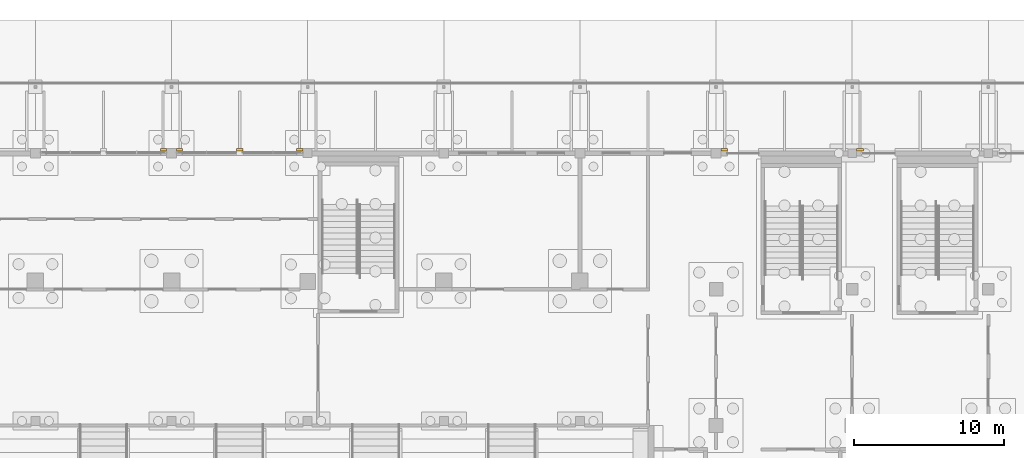
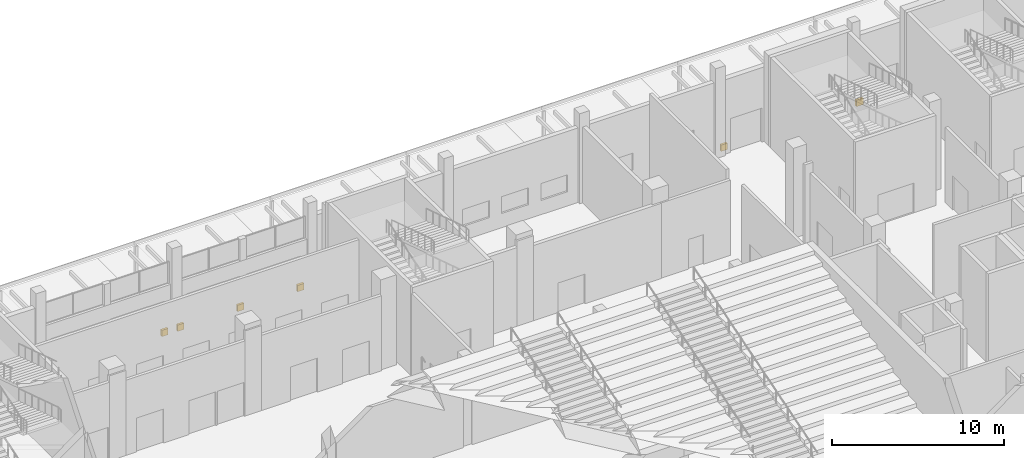
# One storey, part 125 of 129: 6 coverings.
"""IFC4 building model written with IfcOpenShell, lengths in metres."""

import ifcopenshell
import ifcopenshell.guid

model = None  # the IFC model being written
_history = None  # IfcOwnerHistory: only IFC2X3 demands one
_inside = {}  # id of a spatial element -> (the spatial element, [elements in it])
_under = {}  # id of a project, library or spatial element -> (it, [spatial elements below it])
_declared = {}  # id of a project -> (the project, [libraries it declares])
_typed = {}  # id of a type object -> (the type object, [elements of that type])
_made_of = {}  # id of a material, layer set ... -> (it, [elements and type objects made of it])


def new_model(schema):
    """Start an empty IFC model of exactly this schema.

    Asked for "IFC4X3", IfcOpenShell would pick the latest addendum, in which some entities
    have other attributes; the version numbers below select the first issue.
    IFC2X3 requires an IfcOwnerHistory on every rooted entity: one is made here for all.
    """
    global model, _history
    if schema == "IFC4X3":
        model = ifcopenshell.file(schema_version=(4, 3, 0, 0))
    else:
        model = ifcopenshell.file(schema=schema)
    _inside.clear()
    _under.clear()
    _declared.clear()
    _typed.clear()
    _made_of.clear()
    _history = None
    if model.schema == "IFC2X3":
        org = make("IfcOrganization", Name="unknown")
        user = make(
            "IfcPersonAndOrganization",
            ThePerson=make("IfcPerson", FamilyName="unknown"),
            TheOrganization=org,
        )
        app = make(
            "IfcApplication",
            ApplicationDeveloper=org,
            Version="unknown",
            ApplicationFullName="unknown",
            ApplicationIdentifier="unknown",
        )
        _history = make(
            "IfcOwnerHistory",
            OwningUser=user,
            OwningApplication=app,
            ChangeAction="ADDED",
            CreationDate=0,
        )
    return model


def make(cls, **values):
    """One entity of the class cls with the attributes given. An attribute that is None is left unset."""
    return model.create_entity(
        cls, **{name: value for name, value in values.items() if value is not None}
    )


def rooted(cls, **values):
    """An entity with a GlobalId (a new one), such as an element, a storey or a relation."""
    return make(cls, GlobalId=ifcopenshell.guid.new(), OwnerHistory=_history, **values)


def si_unit(unit_type, name, prefix=None):
    """IfcSIUnit, for example si_unit("LENGTHUNIT", "METRE", prefix="MILLI")."""
    return make("IfcSIUnit", UnitType=unit_type, Prefix=prefix, Name=name)


def assignment(units):
    """IfcUnitAssignment: the units of a project."""
    return None if units is None else make("IfcUnitAssignment", Units=units)


def point(xyz):
    """IfcCartesianPoint."""
    return None if xyz is None else make("IfcCartesianPoint", Coordinates=xyz)


def direction(xyz):
    """IfcDirection."""
    return None if xyz is None else make("IfcDirection", DirectionRatios=xyz)


def frame(location, z_axis=None, x_axis=None):
    """IfcAxis2Placement3D, a coordinate frame: its origin and axes. An axis left out is left unset."""
    return make(
        "IfcAxis2Placement3D",
        Location=point(location),
        Axis=direction(z_axis),
        RefDirection=direction(x_axis),
    )


def frame_2d(location, x_axis=None):
    """IfcAxis2Placement2D, a coordinate frame in the plane: its origin and x axis."""
    return make(
        "IfcAxis2Placement2D", Location=point(location), RefDirection=direction(x_axis)
    )


def origin():
    """The frame at (0, 0, 0) with its axes left unset."""
    return frame((0.0, 0.0, 0.0))


def origin_2d():
    """The frame at (0, 0) in the plane with its x axis left unset."""
    return frame_2d((0.0, 0.0))


def place(relative_to, where):
    """IfcLocalPlacement: puts the frame where relative to a parent placement (None: the world)."""
    return make(
        "IfcLocalPlacement", PlacementRelTo=relative_to, RelativePlacement=where
    )


def context(
    kind, dimensions, precision=None, world=None, true_north=None, identifier=None
):
    """IfcGeometricRepresentationContext, for example the 3D "Model" context."""
    return make(
        "IfcGeometricRepresentationContext",
        ContextIdentifier=identifier,
        ContextType=kind,
        CoordinateSpaceDimension=dimensions,
        Precision=precision,
        WorldCoordinateSystem=world,
        TrueNorth=true_north,
    )


def subcontext(parent, identifier, kind, view, scale=None):
    """IfcGeometricRepresentationSubContext, for example "Body" below "Model"."""
    return make(
        "IfcGeometricRepresentationSubContext",
        ContextIdentifier=identifier,
        ContextType=kind,
        ParentContext=parent,
        TargetScale=scale,
        TargetView=view,
    )


def project(units=None, contexts=None):
    """IfcProject with its units and contexts."""
    return rooted(
        "IfcProject",
        Name="project",
        RepresentationContexts=contexts,
        UnitsInContext=assignment(units),
    )


def spatial(cls, under=None, at=None, **own):
    """A site, building, storey or space (cls), placed at a placement, below another one or the project."""
    s = rooted(cls, ObjectPlacement=at, **own)
    if under is not None:
        _under.setdefault(under.id(), (under, []))[1].append(s)
    return s


def profile(cls, at=None, kind="AREA", **sizes):
    """A parametric profile (cls). Its sizes go by their IFC names, for example OverallWidth=200.0."""
    return make(cls, ProfileType=kind, Position=at, **sizes)


def rectangle(**sizes):
    """IfcRectangleProfileDef."""
    return profile("IfcRectangleProfileDef", **sizes)


def extrude(swept, where, along, depth):
    """IfcExtrudedAreaSolid: the profile swept, set in the frame where, extruded along a direction by depth."""
    return make(
        "IfcExtrudedAreaSolid",
        SweptArea=swept,
        Position=where,
        ExtrudedDirection=direction(along),
        Depth=depth,
    )


def shape(context_of_items, identifier, shape_type, items):
    """IfcShapeRepresentation: the items that make up one representation, for example the "Body"."""
    return make(
        "IfcShapeRepresentation",
        ContextOfItems=context_of_items,
        RepresentationIdentifier=identifier,
        RepresentationType=shape_type,
        Items=items,
    )


def material(Name=None, Category=None):
    """IfcMaterial."""
    return make("IfcMaterial", Name=Name, Category=Category)


def layer(
    of_material, thickness, ventilated=None, Name=None, Category=None, Priority=None
):
    """IfcMaterialLayer: one layer of a wall or slab, of a material (None: an air gap)."""
    return make(
        "IfcMaterialLayer",
        Material=of_material,
        LayerThickness=thickness,
        IsVentilated=ventilated,
        Name=Name,
        Category=Category,
        Priority=Priority,
    )


def layer_set(layers, Name=None):
    """IfcMaterialLayerSet."""
    return make("IfcMaterialLayerSet", MaterialLayers=layers, LayerSetName=Name)


def made_of(thing, what):
    """Note that an element or type object is made of a material, layer set ...; save() writes the relation."""
    if what is not None:
        _made_of.setdefault(what.id(), (what, []))[1].append(thing)
    return thing


def type_object(cls, material=None, **own):
    """A type object (cls), such as IfcWallType, which elements share."""
    return made_of(rooted(cls, **own), material)


def element(
    cls,
    number,
    at=None,
    inside=None,
    cuts=None,
    type_object=None,
    material=None,
    context=None,
    identifier="Body",
    shape_type=None,
    held_by="IfcProductDefinitionShape",
    body=None,
    shapes=None,
    **own,
):
    """One element of the class cls, such as IfcWall. Its Tag is "e" and its number.

    at: its placement. inside: the storey or other place that contains it. cuts: it is an
    opening in that element (IfcRelVoidsElement). A single representation is given by context,
    identifier, shape_type and body (its items); several are given by shapes. held_by: the class
    of the entity that holds the representations. save() writes the other relations.
    """
    e = rooted(cls, Tag="e%d" % number, ObjectPlacement=at, **own)
    if body is not None:
        shapes = [shape(context, identifier, shape_type, body)]
    if shapes is not None:
        e.Representation = make(held_by, Representations=shapes)
    if inside is not None:
        _inside.setdefault(inside.id(), (inside, []))[1].append(e)
    if cuts is not None:
        rooted(
            "IfcRelVoidsElement", RelatingBuildingElement=cuts, RelatedOpeningElement=e
        )
    if type_object is not None:
        _typed.setdefault(type_object.id(), (type_object, []))[1].append(e)
    return made_of(e, material)


def aggregate(whole, parts):
    """IfcRelAggregates: a whole, such as a stair, and the parts it consists of."""
    return rooted("IfcRelAggregates", RelatingObject=whole, RelatedObjects=parts)


def save(model, path):
    """Write the relations noted so far, then the file.

    IfcRelAggregates (storeys below a building ...), IfcRelContainedInSpatialStructure (elements
    in a storey), IfcRelDefinesByType, IfcRelAssociatesMaterial and IfcRelDeclares: one each for
    every whole, place, type object, material and project.
    """
    for whole, parts in _under.values():
        aggregate(whole, parts)
    for where, things in _inside.values():
        rooted(
            "IfcRelContainedInSpatialStructure",
            RelatedElements=things,
            RelatingStructure=where,
        )
    for kind, things in _typed.values():
        rooted("IfcRelDefinesByType", RelatedObjects=things, RelatingType=kind)
    for what, things in _made_of.values():
        rooted("IfcRelAssociatesMaterial", RelatedObjects=things, RelatingMaterial=what)
    for by, libraries in _declared.values():
        rooted("IfcRelDeclares", RelatingContext=by, RelatedDefinitions=libraries)
    model.write(path)


model = new_model("IFC4")

# Units and contexts
model_context = context("Model", 3, precision=1e-05, world=origin(), true_north=direction((0.0, 1.0)))
body_context = subcontext(model_context, "Body", "Model", "MODEL_VIEW")
ifc_project = project(units=[si_unit("LENGTHUNIT", "METRE"), si_unit("AREAUNIT", "SQUARE_METRE"), si_unit("VOLUMEUNIT", "CUBIC_METRE"), si_unit("PLANEANGLEUNIT", "RADIAN"), si_unit("MASSUNIT", "GRAM", prefix="KILO")], contexts=[model_context])

# Site, building, storey
site_placement = place(None, origin())
site = spatial("IfcSite", under=ifc_project, at=site_placement, CompositionType="ELEMENT")
building_placement = place(site_placement, origin())
building = spatial("IfcBuilding", under=site, at=building_placement, Name="Shirokan Park Arena", CompositionType="ELEMENT")
storey_placement = place(building_placement, origin())
storey = spatial("IfcBuildingStorey", under=building, at=storey_placement, Name="L00", CompositionType="ELEMENT", Elevation=0.0)

# Coverings
ifc_material = material(Name="Natural stone", Category="masonry")
ifc_layer = layer(ifc_material, 0.14990234375)
ifc_layer_set = layer_set([ifc_layer], Name="Natural stone 150 mm")
covering_type = type_object("IfcCoveringType", Name="Stone plinth 150x450", PredefinedType="CLADDING", material=ifc_layer_set)
covering_1_placement = place(storey_placement, frame((118.8125, 109.425048828125, 0.0), z_axis=(0.0, 0.0, 1.0), x_axis=(-1.0, 0.0, 0.0)))
element("IfcCovering", 1, at=covering_1_placement, inside=storey, type_object=covering_type, Name="Stone plinth north bay 3", PredefinedType="CLADDING", context=body_context, shape_type="SweptSolid", body=[
    extrude(rectangle(XDim=0.47509765625, YDim=0.14990234375, at=origin_2d()), origin(), (0.0, 0.0, 1.0), 0.449951171875),
])
covering_2_placement = place(storey_placement, frame((109.737548828125, 109.425048828125, 0.0), z_axis=(0.0, 0.0, 1.0), x_axis=(-1.0, 0.0, 0.0)))
element("IfcCovering", 2, at=covering_2_placement, inside=storey, type_object=covering_type, Name="Stone plinth north bay 4", PredefinedType="CLADDING", context=body_context, shape_type="SweptSolid", body=[
    extrude(rectangle(XDim=0.425048828125, YDim=0.14990234375, at=origin_2d()), origin(), (0.0, 0.0, 1.0), 0.449951171875),
])
covering_3_placement = place(storey_placement, frame((81.382568359375, 109.425048828125, 0.0), z_axis=(0.0, 0.0, 1.0), x_axis=(-1.0, 0.0, 0.0)))
element("IfcCovering", 3, at=covering_3_placement, inside=storey, type_object=covering_type, Name="Stone plinth north bay 8", PredefinedType="CLADDING", context=body_context, shape_type="SweptSolid", body=[
    extrude(rectangle(XDim=0.43505859375, YDim=0.14990234375, at=origin_2d()), origin(), (0.0, 0.0, 1.0), 0.449951171875),
])
covering_4_placement = place(storey_placement, frame((77.35009765625, 109.425048828125, 0.0), z_axis=(0.0, 0.0, 1.0), x_axis=(-1.0, 0.0, 0.0)))
element("IfcCovering", 4, at=covering_4_placement, inside=storey, type_object=covering_type, Name="Stone plinth north bay 8", PredefinedType="CLADDING", context=body_context, shape_type="SweptSolid", body=[
    extrude(rectangle(XDim=0.429931640625, YDim=0.14990234375, at=origin_2d()), origin(), (0.0, 0.0, 1.0), 0.449951171875),
])
for number, where, z_axis, x_axis, name in (
    (5, (73.330078125, 109.425048828125, 0.0), (0.0, 0.0, 1.0), (-1.0, 0.0, 0.0), "Stone plinth north bay 8"),
    (6, (72.27001953125, 109.425048828125, 0.0), (0.0, 0.0, 1.0), (-1.0, 0.0, 0.0), "Stone plinth north bay 9"),
):
    element("IfcCovering", number, at=place(storey_placement, frame(where, z_axis=z_axis, x_axis=x_axis)), inside=storey, type_object=covering_type, Name=name, PredefinedType="CLADDING", context=body_context, shape_type="SweptSolid", body=[
        extrude(rectangle(XDim=0.409912109375, YDim=0.14990234375, at=origin_2d()), origin(), (0.0, 0.0, 1.0), 0.449951171875),
    ])

save(model, "model.ifc")
